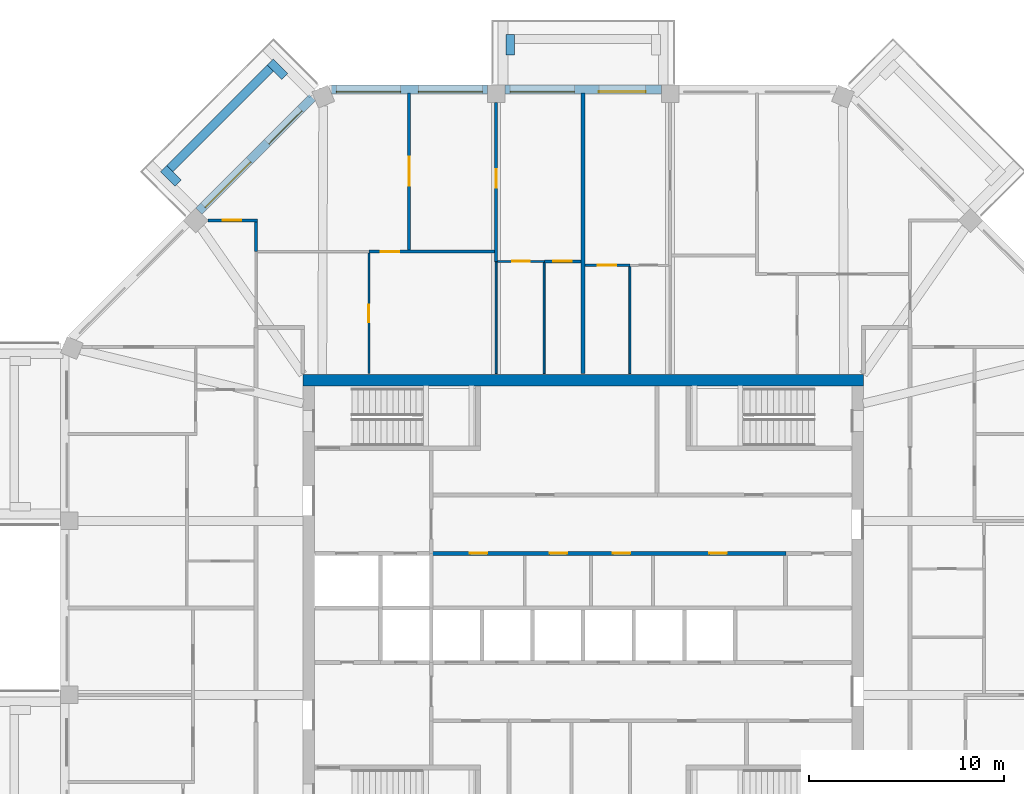
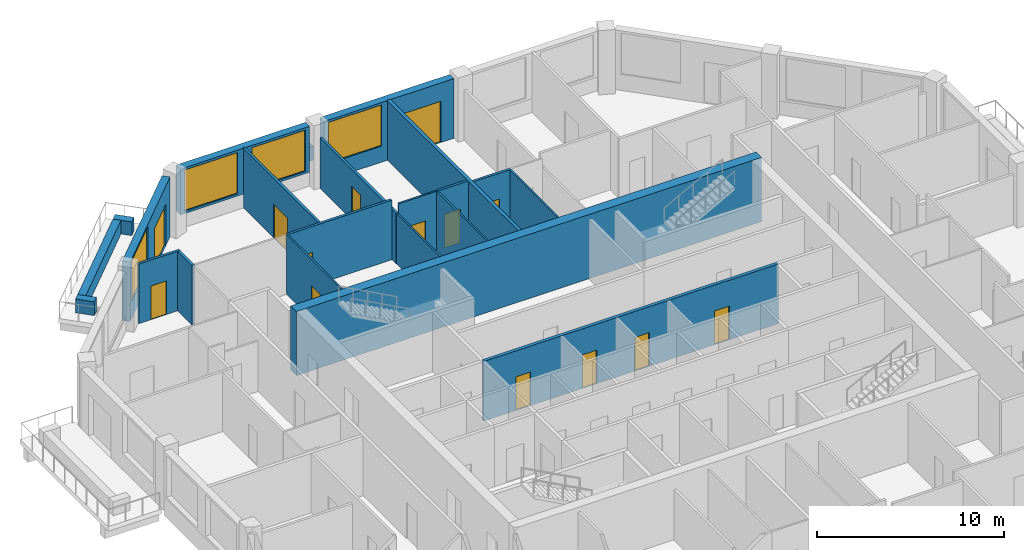
# One storey, part 8 of 12: 22 walls, 14 doors, 4 windows, 18 openings.
"""IFC4 building model written with IfcOpenShell, lengths in metres."""

from ifc_helpers import new_model, si_unit, direction, frame, frame_2d, origin, place, context, subcontext, project, spatial, rectangle, extrude, material, layer, layer_set, type_object, element, fill, save


model = new_model("IFC4")

# Units and contexts
model_context = context("Model", 3, precision=1e-05, world=origin(), true_north=direction((0.0, 1.0)))
body_context = subcontext(model_context, "Body", "Model", "MODEL_VIEW")
ifc_project = project(units=[si_unit("LENGTHUNIT", "METRE"), si_unit("AREAUNIT", "SQUARE_METRE"), si_unit("VOLUMEUNIT", "CUBIC_METRE"), si_unit("PLANEANGLEUNIT", "RADIAN"), si_unit("MASSUNIT", "GRAM", prefix="KILO")], contexts=[model_context])

# Site, building, storey
site_placement = place(None, origin())
site = spatial("IfcSite", under=ifc_project, at=site_placement, CompositionType="ELEMENT")
building_placement = place(site_placement, origin())
building = spatial("IfcBuilding", under=site, at=building_placement, Name="Msitu Wima Residences", CompositionType="ELEMENT")
storey_placement = place(building_placement, frame((0.0, 0.0, 306.300048828125)))
storey = spatial("IfcBuildingStorey", under=building, at=storey_placement, Name="L71", CompositionType="ELEMENT", Elevation=306.300048828125)

# Walls
ifc_material_1 = material(Name="Facing brick")
ifc_layer_1 = layer(ifc_material_1, 0.06494140625, Name="Facing brick")
ifc_material_2 = material(Name="Concrete C40/50", Category="concrete")
ifc_layer_2 = layer(ifc_material_2, 0.156005859375, Name="Concrete C40/50")
ifc_material_3 = material(Name="Waterproofing membrane")
ifc_layer_3 = layer(ifc_material_3, 0.00390625, Name="Waterproofing membrane")
ifc_material_4 = material(Name="Planting soil and planting")
ifc_layer_4 = layer(ifc_material_4, 0.22509765625, Name="Planting soil and planting")
ifc_layer_set_1 = layer_set([ifc_layer_1, ifc_layer_2, ifc_layer_3, ifc_layer_4], Name="Concrete C40/50")
wall_type_1 = type_object("IfcWallType", Name="Balcony planter PLANTER PL450", PredefinedType="USERDEFINED", material=ifc_layer_set_1)
wall_1_placement = place(storey_placement, frame((-3.74365234375, 28.39990234375, 0.0), z_axis=(0.0, 0.0, 1.0), x_axis=(0.0, 1.0, 0.0)))
element("IfcWall", 1, at=wall_1_placement, inside=storey, type_object=wall_type_1, Name="Balcony planter N1 L71", ObjectType="PLANTER", PredefinedType="USERDEFINED", context=body_context, shape_type="SweptSolid", body=[
    extrude(rectangle(XDim=1.050048828125, YDim=0.449951171875, at=frame_2d((0.52490234375, 0.0))), origin(), (0.0, 0.0, 1.0), 0.89990234375),
])
wall_2_placement = place(storey_placement, frame((-16.0751953125, 27.725830078125, 0.0), z_axis=(0.0, 0.0, 1.0), x_axis=(-0.707106781187, -0.707106781187, 0.0)))
element("IfcWall", 2, at=wall_2_placement, inside=storey, type_object=wall_type_1, Name="Balcony planter NW0 L71", ObjectType="PLANTER", PredefinedType="USERDEFINED", context=body_context, shape_type="SweptSolid", body=[
    extrude(rectangle(XDim=7.288330078125, YDim=0.449951171875, at=frame_2d((3.64404296875, 0.0))), origin(), (0.0, 0.0, 1.0), 0.89990234375),
])
for number, where, z_axis, x_axis, name in (
    (3, (-15.332763671875, 27.301513671875, 0.0), (0.0, 0.0, 1.0), (-0.707106781187, 0.707106781187, 0.0), "Balcony planter NW0 L71"),
    (4, (-20.804443359375, 21.829833984375, 0.0), (0.0, 0.0, 1.0), (-0.707106781187, 0.707106781187, 0.0), "Balcony planter NW0 L71"),
):
    element("IfcWall", number, at=place(storey_placement, frame(where, z_axis=z_axis, x_axis=x_axis)), inside=storey, type_object=wall_type_1, Name=name, ObjectType="PLANTER", PredefinedType="USERDEFINED", context=body_context, shape_type="SweptSolid", body=[
        extrude(rectangle(XDim=1.050048828125, YDim=0.449951171875, at=frame_2d((0.52490234375, 0.0))), origin(), (0.0, 0.0, 1.0), 0.89990234375),
    ])

# Wall, openings, door, window
ifc_material_5 = material(Name="Brick (red buff mix)", Category="masonry")
ifc_layer_5 = layer(ifc_material_5, 0.449951171875)
ifc_layer_set_2 = layer_set([ifc_layer_5], Name="Brick (red buff mix)")
wall_type_2 = type_object("IfcWallType", Name="Brick infill wall BW450", PredefinedType="SOLIDWALL", material=ifc_layer_set_2)
wall_3_placement = place(storey_placement, frame((4.0185546875, 26.625, 0.0), z_axis=(0.0, 0.0, 1.0), x_axis=(-1.0, 0.0, 0.0)))
wall_3 = element("IfcWall", 5, at=wall_3_placement, inside=storey, type_object=wall_type_2, Name="Brick infill wall L71 N1", PredefinedType="SOLIDWALL", context=body_context, shape_type="SweptSolid", body=[
    extrude(rectangle(XDim=8.037109375, YDim=0.449951171875, at=frame_2d((4.0185546875, 0.0))), origin(), (0.0, 0.0, 1.0), 3.89990234375),
])
opening_1_placement = place(wall_3_placement, frame((0.809326171875, 0.0, 0.0)))
opening_1 = element("IfcOpeningElement", 6, at=opening_1_placement, cuts=wall_3, Name="Opening D71.003", PredefinedType="OPENING", context=body_context, shape_type="SweptSolid", body=[
    extrude(rectangle(XDim=2.39990234375, YDim=2.699951171875, at=frame_2d((1.199951171875, 1.35009765625))), frame((0.0, 0.23486328125, 0.0), z_axis=(0.0, -1.0, 0.0), x_axis=(1.0, 0.0, 0.0)), (0.0, 0.0, 1.0), 0.469970703125),
])
opening_2_placement = place(wall_3_placement, frame((4.46875, 0.0, 1.050048828125)))
opening_2 = element("IfcOpeningElement", 7, at=opening_2_placement, cuts=wall_3, Name="Opening W71.007", PredefinedType="OPENING", context=body_context, shape_type="SweptSolid", body=[
    extrude(rectangle(XDim=3.300048828125, YDim=2.699951171875, at=frame_2d((1.64990234375, 1.35009765625))), frame((0.0, 0.23486328125, 0.0), z_axis=(0.0, -1.0, 0.0), x_axis=(1.0, 0.0, 0.0)), (0.0, 0.0, 1.0), 0.469970703125),
])
ifc_material_6 = material(Name="Anodised aluminium, bronze finish, clear low-emissivity double glazing", Category="aluminium")
door_type_1 = type_object("IfcDoorType", Name="Balcony door D2400x2700", OperationType="SLIDING_TO_LEFT", PredefinedType="DOOR", material=ifc_material_6)
door_1_placement = place(opening_1_placement, origin())
door_1 = element("IfcDoor", 8, at=door_1_placement, inside=storey, type_object=door_type_1, Name="Balcony door L71 N1", OperationType="SINGLE_SWING_LEFT", OverallHeight=2.699951171875, OverallWidth=2.39990234375, PredefinedType="DOOR", context=body_context, shape_type="SweptSolid", body=[
    extrude(rectangle(XDim=2.39990234375, YDim=2.699951171875, at=frame_2d((1.199951171875, 1.35009765625))), frame((0.0, 0.1298828125, 0.0), z_axis=(0.0, -1.0, 0.0), x_axis=(1.0, 0.0, 0.0)), (0.0, 0.0, 1.0), 0.050048828125),
])
fill(opening_1, door_1)
window_type = type_object("IfcWindowType", Name="Window W3300x2700", PartitioningType="DOUBLE_PANEL_VERTICAL", PredefinedType="WINDOW", material=ifc_material_6)
window_1_placement = place(opening_2_placement, origin())
window_1 = element("IfcWindow", 9, at=window_1_placement, inside=storey, type_object=window_type, Name="Window L71 N1.2", OverallHeight=2.699951171875, OverallWidth=3.300048828125, PartitioningType="SINGLE_PANEL", PredefinedType="WINDOW", context=body_context, shape_type="SweptSolid", body=[
    extrude(rectangle(XDim=3.300048828125, YDim=2.699951171875, at=frame_2d((1.64990234375, 1.35009765625))), frame((0.0, 0.135009765625, 0.0), z_axis=(0.0, -1.0, 0.0), x_axis=(1.0, 0.0, 0.0)), (0.0, 0.0, 1.0), 0.06005859375),
])
fill(opening_2, window_1)

# Wall, openings, windows
wall_4_placement = place(storey_placement, frame((-4.918701171875, 26.625, 0.89990234375), z_axis=(0.0, 0.0, 1.0), x_axis=(-1.0, 0.0, 0.0)))
wall_4 = element("IfcWall", 10, at=wall_4_placement, inside=storey, type_object=wall_type_2, Name="Brick infill wall L71 N2", PredefinedType="SOLIDWALL", context=body_context, shape_type="SweptSolid", body=[
    extrude(rectangle(XDim=8.0, YDim=0.449951171875, at=frame_2d((4.0, 0.0))), origin(), (0.0, 0.0, 1.0), 3.0),
])
opening_3_placement = place(wall_4_placement, frame((0.25, 0.0, 0.14990234375)))
opening_3 = element("IfcOpeningElement", 11, at=opening_3_placement, cuts=wall_4, Name="Opening W71.008", PredefinedType="OPENING", context=body_context, shape_type="SweptSolid", body=[
    extrude(rectangle(XDim=3.300048828125, YDim=2.699951171875, at=frame_2d((1.64990234375, 1.35009765625))), frame((0.0, 0.23486328125, 0.0), z_axis=(0.0, -1.0, 0.0), x_axis=(1.0, 0.0, 0.0)), (0.0, 0.0, 1.0), 0.469970703125),
])
opening_4_placement = place(wall_4_placement, frame((4.4501953125, 0.0, 0.14990234375)))
opening_4 = element("IfcOpeningElement", 12, at=opening_4_placement, cuts=wall_4, Name="Opening W71.009", PredefinedType="OPENING", context=body_context, shape_type="SweptSolid", body=[
    extrude(rectangle(XDim=3.300048828125, YDim=2.699951171875, at=frame_2d((1.64990234375, 1.35009765625))), frame((0.0, 0.23486328125, 0.0), z_axis=(0.0, -1.0, 0.0), x_axis=(1.0, 0.0, 0.0)), (0.0, 0.0, 1.0), 0.469970703125),
])
window_2_placement = place(opening_3_placement, origin())
window_2 = element("IfcWindow", 13, at=window_2_placement, inside=storey, type_object=window_type, Name="Window L71 N2.1", OverallHeight=2.699951171875, OverallWidth=3.300048828125, PartitioningType="SINGLE_PANEL", PredefinedType="WINDOW", context=body_context, shape_type="SweptSolid", body=[
    extrude(rectangle(XDim=3.300048828125, YDim=2.699951171875, at=frame_2d((1.64990234375, 1.35009765625))), frame((0.0, 0.135009765625, 0.0), z_axis=(0.0, -1.0, 0.0), x_axis=(1.0, 0.0, 0.0)), (0.0, 0.0, 1.0), 0.06005859375),
])
fill(opening_3, window_2)
window_3_placement = place(opening_4_placement, origin())
window_3 = element("IfcWindow", 14, at=window_3_placement, inside=storey, type_object=window_type, Name="Window L71 N2.2", OverallHeight=2.699951171875, OverallWidth=3.300048828125, PartitioningType="SINGLE_PANEL", PredefinedType="WINDOW", context=body_context, shape_type="SweptSolid", body=[
    extrude(rectangle(XDim=3.300048828125, YDim=2.699951171875, at=frame_2d((1.64990234375, 1.35009765625))), frame((0.0, 0.135009765625, 0.0), z_axis=(0.0, -1.0, 0.0), x_axis=(1.0, 0.0, 0.0)), (0.0, 0.0, 1.0), 0.06005859375),
])
fill(opening_4, window_3)

# Wall, openings, door, window
wall_5_placement = place(storey_placement, frame((-13.909423828125, 26.214599609375, 0.0), z_axis=(0.0, 0.0, 1.0), x_axis=(-0.707106781187, -0.707106781187, 0.0)))
wall_5 = element("IfcWall", 15, at=wall_5_placement, inside=storey, type_object=wall_type_2, Name="Brick infill wall L71 NW0", PredefinedType="SOLIDWALL", context=body_context, shape_type="SweptSolid", body=[
    extrude(rectangle(XDim=8.251220703125, YDim=0.449951171875, at=frame_2d((4.12548828125, 0.0))), origin(), (0.0, 0.0, 1.0), 3.89990234375),
])
opening_5_placement = place(wall_5_placement, frame((0.86279296875, 0.0, 0.0)))
opening_5 = element("IfcOpeningElement", 16, at=opening_5_placement, cuts=wall_5, Name="Opening D71.005", PredefinedType="OPENING", context=body_context, shape_type="SweptSolid", body=[
    extrude(rectangle(XDim=2.39990234375, YDim=2.699951171875, at=frame_2d((1.199951171875, 1.35009765625))), frame((0.0, 0.23486328125, 0.0), z_axis=(0.0, -1.0, 0.0), x_axis=(1.0, 0.0, 0.0)), (0.0, 0.0, 1.0), 0.469970703125),
])
opening_6_placement = place(wall_5_placement, frame((4.57568359375, 0.0, 1.050048828125)))
opening_6 = element("IfcOpeningElement", 17, at=opening_6_placement, cuts=wall_5, Name="Opening W71.013", PredefinedType="OPENING", context=body_context, shape_type="SweptSolid", body=[
    extrude(rectangle(XDim=3.300048828125, YDim=2.699951171875, at=frame_2d((1.64990234375, 1.35009765625))), frame((0.0, 0.23486328125, 0.0), z_axis=(0.0, -1.0, 0.0), x_axis=(1.0, 0.0, 0.0)), (0.0, 0.0, 1.0), 0.469970703125),
])
door_2_placement = place(opening_5_placement, origin())
door_2 = element("IfcDoor", 18, at=door_2_placement, inside=storey, type_object=door_type_1, Name="Balcony door L71 NW0", OperationType="SINGLE_SWING_LEFT", OverallHeight=2.699951171875, OverallWidth=2.39990234375, PredefinedType="DOOR", context=body_context, shape_type="SweptSolid", body=[
    extrude(rectangle(XDim=2.39990234375, YDim=2.699951171875, at=frame_2d((1.199951171875, 1.35009765625))), frame((0.0, 0.1298828125, 0.0), z_axis=(0.0, -1.0, 0.0), x_axis=(1.0, 0.0, 0.0)), (0.0, 0.0, 1.0), 0.050048828125),
])
fill(opening_5, door_2)
window_4_placement = place(opening_6_placement, origin())
window_4 = element("IfcWindow", 19, at=window_4_placement, inside=storey, type_object=window_type, Name="Window L71 NW0.2", OverallHeight=2.699951171875, OverallWidth=3.300048828125, PartitioningType="SINGLE_PANEL", PredefinedType="WINDOW", context=body_context, shape_type="SweptSolid", body=[
    extrude(rectangle(XDim=3.300048828125, YDim=2.699951171875, at=frame_2d((1.64990234375, 1.35009765625))), frame((0.0, 0.135009765625, 0.0), z_axis=(0.0, -1.0, 0.0), x_axis=(1.0, 0.0, 0.0)), (0.0, 0.0, 1.0), 0.06005859375),
])
fill(opening_6, window_4)

# Wall
ifc_material_7 = material(Name="Concrete C50/60", Category="concrete")
ifc_layer_6 = layer(ifc_material_7, 0.60009765625)
ifc_layer_set_3 = layer_set([ifc_layer_6], Name="Concrete C50/60")
wall_type_3 = type_object("IfcWallType", Name="Core wall CW600 C50/60", PredefinedType="SHEAR", material=ifc_layer_set_3)
wall_6_placement = place(storey_placement, frame((-14.39990234375, 11.699951171875, 0.0), z_axis=(0.0, 0.0, 1.0), x_axis=(1.0, 0.0, 0.0)))
element("IfcWall", 20, at=wall_6_placement, inside=storey, type_object=wall_type_3, Name="Core wall", PredefinedType="SHEAR", context=body_context, shape_type="SweptSolid", body=[
    extrude(rectangle(XDim=28.7998046875, YDim=0.60009765625, at=frame_2d((14.39990234375, 0.0))), origin(), (0.0, 0.0, 1.0), 4.199951171875),
])

# Wall, openings, doors
ifc_material_8 = material(Name="Plaster")
ifc_layer_7 = layer(ifc_material_8, 0.011962890625, Name="Plaster")
ifc_material_9 = material(Name="Concrete blockwork", Category="masonry")
ifc_layer_8 = layer(ifc_material_9, 0.176025390625, Name="Concrete blockwork")
ifc_layer_9 = layer(ifc_material_8, 0.011962890625, Name="Plaster")
ifc_layer_set_4 = layer_set([ifc_layer_7, ifc_layer_8, ifc_layer_9], Name="Concrete blockwork")
wall_type_4 = type_object("IfcWallType", Name="Corridor wall FW200", PredefinedType="PARTITIONING", material=ifc_layer_set_4)
wall_7_placement = place(storey_placement, frame((-7.820068359375, 2.800048828125, 0.0), z_axis=(0.0, 0.0, 1.0), x_axis=(1.0, 0.0, 0.0)))
wall_7 = element("IfcWall", 21, at=wall_7_placement, inside=storey, type_object=wall_type_4, Name="Corridor wall", PredefinedType="PARTITIONING", context=body_context, shape_type="SweptSolid", body=[
    extrude(rectangle(XDim=18.239990234375, YDim=0.199951171875, at=frame_2d((9.1201171875, 0.0))), origin(), (0.0, 0.0, 1.0), 3.89990234375),
])
opening_7_placement = place(wall_7_placement, frame((2.0, 0.0, 0.0)))
opening_7 = element("IfcOpeningElement", 22, at=opening_7_placement, cuts=wall_7, Name="Opening D71.078", PredefinedType="OPENING", context=body_context, shape_type="SweptSolid", body=[
    extrude(rectangle(XDim=0.89990234375, YDim=2.199951171875, at=frame_2d((0.449951171875, 1.10009765625))), frame((0.0, 0.10986328125, 0.0), z_axis=(0.0, -1.0, 0.0), x_axis=(1.0, 0.0, 0.0)), (0.0, 0.0, 1.0), 0.219970703125),
])
opening_8_placement = place(wall_7_placement, frame((6.10009765625, 0.0, 0.0)))
opening_8 = element("IfcOpeningElement", 23, at=opening_8_placement, cuts=wall_7, Name="Opening D71.079", PredefinedType="OPENING", context=body_context, shape_type="SweptSolid", body=[
    extrude(rectangle(XDim=0.89990234375, YDim=2.199951171875, at=frame_2d((0.449951171875, 1.10009765625))), frame((0.0, 0.10986328125, 0.0), z_axis=(0.0, -1.0, 0.0), x_axis=(1.0, 0.0, 0.0)), (0.0, 0.0, 1.0), 0.219970703125),
])
opening_9_placement = place(wall_7_placement, frame((9.35009765625, 0.0, 0.0)))
opening_9 = element("IfcOpeningElement", 24, at=opening_9_placement, cuts=wall_7, Name="Opening D71.080", PredefinedType="OPENING", context=body_context, shape_type="SweptSolid", body=[
    extrude(rectangle(XDim=0.89990234375, YDim=2.199951171875, at=frame_2d((0.449951171875, 1.10009765625))), frame((0.0, 0.10986328125, 0.0), z_axis=(0.0, -1.0, 0.0), x_axis=(1.0, 0.0, 0.0)), (0.0, 0.0, 1.0), 0.219970703125),
])
opening_10_placement = place(wall_7_placement, frame((14.300048828125, 0.0, 0.0)))
opening_10 = element("IfcOpeningElement", 25, at=opening_10_placement, cuts=wall_7, Name="Opening D71.081", PredefinedType="OPENING", context=body_context, shape_type="SweptSolid", body=[
    extrude(rectangle(XDim=0.89990234375, YDim=2.199951171875, at=frame_2d((0.449951171875, 1.10009765625))), frame((0.0, 0.10986328125, 0.0), z_axis=(0.0, -1.0, 0.0), x_axis=(1.0, 0.0, 0.0)), (0.0, 0.0, 1.0), 0.219970703125),
])
ifc_material_10 = material(Name="Timber flush door", Category="wood")
door_type_2 = type_object("IfcDoorType", Name="Service door D05 900x2200", OperationType="SINGLE_SWING_LEFT", PredefinedType="DOOR", material=ifc_material_10)
door_3_placement = place(opening_7_placement, origin())
door_3 = element("IfcDoor", 26, at=door_3_placement, inside=storey, type_object=door_type_2, Name="Service door", OperationType="SINGLE_SWING_LEFT", OverallHeight=2.199951171875, OverallWidth=0.89990234375, PredefinedType="DOOR", context=body_context, shape_type="SweptSolid", body=[
    extrude(rectangle(XDim=0.89990234375, YDim=2.199951171875, at=frame_2d((0.449951171875, 1.10009765625))), frame((0.0, 0.02490234375, 0.0), z_axis=(0.0, -1.0, 0.0), x_axis=(1.0, 0.0, 0.0)), (0.0, 0.0, 1.0), 0.050048828125),
])
fill(opening_7, door_3)
door_4_placement = place(opening_8_placement, origin())
door_4 = element("IfcDoor", 27, at=door_4_placement, inside=storey, type_object=door_type_2, Name="Service door", OperationType="SINGLE_SWING_LEFT", OverallHeight=2.199951171875, OverallWidth=0.89990234375, PredefinedType="DOOR", context=body_context, shape_type="SweptSolid", body=[
    extrude(rectangle(XDim=0.89990234375, YDim=2.199951171875, at=frame_2d((0.449951171875, 1.10009765625))), frame((0.0, 0.02490234375, 0.0), z_axis=(0.0, -1.0, 0.0), x_axis=(1.0, 0.0, 0.0)), (0.0, 0.0, 1.0), 0.050048828125),
])
fill(opening_8, door_4)
door_5_placement = place(opening_9_placement, origin())
door_5 = element("IfcDoor", 28, at=door_5_placement, inside=storey, type_object=door_type_2, Name="Service door", OperationType="SINGLE_SWING_RIGHT", OverallHeight=2.199951171875, OverallWidth=0.89990234375, PredefinedType="DOOR", context=body_context, shape_type="SweptSolid", body=[
    extrude(rectangle(XDim=0.89990234375, YDim=2.199951171875, at=frame_2d((0.449951171875, 1.10009765625))), frame((0.0, 0.02490234375, 0.0), z_axis=(0.0, -1.0, 0.0), x_axis=(1.0, 0.0, 0.0)), (0.0, 0.0, 1.0), 0.050048828125),
])
fill(opening_9, door_5)
door_6_placement = place(opening_10_placement, origin())
door_6 = element("IfcDoor", 29, at=door_6_placement, inside=storey, type_object=door_type_2, Name="Service door", OperationType="SINGLE_SWING_RIGHT", OverallHeight=2.199951171875, OverallWidth=0.89990234375, PredefinedType="DOOR", context=body_context, shape_type="SweptSolid", body=[
    extrude(rectangle(XDim=0.89990234375, YDim=2.199951171875, at=frame_2d((0.449951171875, 1.10009765625))), frame((0.0, 0.02490234375, 0.0), z_axis=(0.0, -1.0, 0.0), x_axis=(1.0, 0.0, 0.0)), (0.0, 0.0, 1.0), 0.050048828125),
])
fill(opening_10, door_6)

# Wall, opening, door
ifc_layer_10 = layer(ifc_material_8, 0.011962890625, Name="Plaster")
ifc_layer_11 = layer(ifc_material_9, 0.1259765625, Name="Concrete blockwork")
ifc_layer_12 = layer(ifc_material_8, 0.011962890625, Name="Plaster")
ifc_layer_set_5 = layer_set([ifc_layer_10, ifc_layer_11, ifc_layer_12], Name="Concrete blockwork")
wall_type_5 = type_object("IfcWallType", Name="Partition PW150", PredefinedType="PARTITIONING", material=ifc_layer_set_5)
wall_8_placement = place(storey_placement, frame((-19.2666015625, 19.90283203125, 0.0), z_axis=(0.0, 0.0, 1.0), x_axis=(1.0, 0.0, 0.0)))
wall_8 = element("IfcWall", 30, at=wall_8_placement, inside=storey, type_object=wall_type_5, Name="Partition", PredefinedType="PARTITIONING", context=body_context, shape_type="SweptSolid", body=[
    extrude(rectangle(XDim=2.54150390625, YDim=0.14990234375, at=frame_2d((1.270751953125, 0.0))), origin(), (0.0, 0.0, 1.0), 3.89990234375),
])
opening_11_placement = place(wall_8_placement, frame((0.75, 0.0, 0.0)))
opening_11 = element("IfcOpeningElement", 31, at=opening_11_placement, cuts=wall_8, Name="Opening D71.046", PredefinedType="OPENING", context=body_context, shape_type="SweptSolid", body=[
    extrude(rectangle(XDim=0.949951171875, YDim=2.199951171875, at=frame_2d((0.47509765625, 1.10009765625))), frame((0.0, 0.0849609375, 0.0), z_axis=(0.0, -1.0, 0.0), x_axis=(1.0, 0.0, 0.0)), (0.0, 0.0, 1.0), 0.169921875),
])
door_type_3 = type_object("IfcDoorType", Name="Room door D12 950x2200", OperationType="SINGLE_SWING_LEFT", PredefinedType="DOOR", material=ifc_material_10)
door_7_placement = place(opening_11_placement, origin())
door_7 = element("IfcDoor", 32, at=door_7_placement, inside=storey, type_object=door_type_3, Name="Room door", OperationType="SINGLE_SWING_LEFT", OverallHeight=2.199951171875, OverallWidth=0.949951171875, PredefinedType="DOOR", context=body_context, shape_type="SweptSolid", body=[
    extrude(rectangle(XDim=0.949951171875, YDim=2.199951171875, at=frame_2d((0.47509765625, 1.10009765625))), frame((0.0, 0.02490234375, 0.0), z_axis=(0.0, -1.0, 0.0), x_axis=(1.0, 0.0, 0.0)), (0.0, 0.0, 1.0), 0.050048828125),
])
fill(opening_11, door_7)

# Wall
wall_9_placement = place(storey_placement, frame((-16.800048828125, 18.300048828125, 0.0), z_axis=(0.0, 0.0, 1.0), x_axis=(0.0, 1.0, 0.0)))
element("IfcWall", 33, at=wall_9_placement, inside=storey, type_object=wall_type_5, Name="Partition", PredefinedType="PARTITIONING", context=body_context, shape_type="SweptSolid", body=[
    extrude(rectangle(XDim=1.52783203125, YDim=0.14990234375, at=frame_2d((0.763916015625, 0.0))), origin(), (0.0, 0.0, 1.0), 3.89990234375),
])

# Wall, opening, door
wall_10_placement = place(storey_placement, frame((-11.0, 18.300048828125, 0.0), z_axis=(0.0, 0.0, 1.0), x_axis=(1.0, 0.0, 0.0)))
wall_10 = element("IfcWall", 34, at=wall_10_placement, inside=storey, type_object=wall_type_5, Name="Partition", PredefinedType="PARTITIONING", context=body_context, shape_type="SweptSolid", body=[
    extrude(rectangle(XDim=6.456298828125, YDim=0.14990234375, at=frame_2d((3.22802734375, 0.0))), origin(), (0.0, 0.0, 1.0), 3.89990234375),
])
opening_12_placement = place(wall_10_placement, frame((0.60009765625, 0.0, 0.0)))
opening_12 = element("IfcOpeningElement", 35, at=opening_12_placement, cuts=wall_10, Name="Opening D71.047", PredefinedType="OPENING", context=body_context, shape_type="SweptSolid", body=[
    extrude(rectangle(XDim=0.949951171875, YDim=2.199951171875, at=frame_2d((0.47509765625, 1.10009765625))), frame((0.0, 0.0849609375, 0.0), z_axis=(0.0, -1.0, 0.0), x_axis=(1.0, 0.0, 0.0)), (0.0, 0.0, 1.0), 0.169921875),
])
door_8_placement = place(opening_12_placement, origin())
door_8 = element("IfcDoor", 36, at=door_8_placement, inside=storey, type_object=door_type_3, Name="Room door", OperationType="SINGLE_SWING_RIGHT", OverallHeight=2.199951171875, OverallWidth=0.949951171875, PredefinedType="DOOR", context=body_context, shape_type="SweptSolid", body=[
    extrude(rectangle(XDim=0.949951171875, YDim=2.199951171875, at=frame_2d((0.47509765625, 1.10009765625))), frame((0.0, 0.02490234375, 0.0), z_axis=(0.0, -1.0, 0.0), x_axis=(1.0, 0.0, 0.0)), (0.0, 0.0, 1.0), 0.050048828125),
])
fill(opening_12, door_8)

wall_11_placement = place(storey_placement, frame((-8.937255859375, 18.375, 0.0), z_axis=(0.0, 0.0, 1.0), x_axis=(0.0, 1.0, 0.0)))
wall_11 = element("IfcWall", 37, at=wall_11_placement, inside=storey, type_object=wall_type_5, Name="Partition", PredefinedType="PARTITIONING", context=body_context, shape_type="SweptSolid", body=[
    extrude(rectangle(XDim=8.080078125, YDim=0.14990234375, at=frame_2d((4.0400390625, 0.0))), origin(), (0.0, 0.0, 1.0), 3.89990234375),
])
opening_13_placement = place(wall_11_placement, frame((3.300048828125, 0.0, 0.0)))
opening_13 = element("IfcOpeningElement", 38, at=opening_13_placement, cuts=wall_11, Name="Opening D71.049", PredefinedType="OPENING", context=body_context, shape_type="SweptSolid", body=[
    extrude(rectangle(XDim=1.5, YDim=2.199951171875, at=frame_2d((0.75, 1.10009765625))), frame((0.0, 0.0849609375, 0.0), z_axis=(0.0, -1.0, 0.0), x_axis=(1.0, 0.0, 0.0)), (0.0, 0.0, 1.0), 0.169921875),
])
ifc_material_11 = material(Name="Timber double door", Category="wood")
door_type_4 = type_object("IfcDoorType", Name="Double door D04 1500x2200", OperationType="DOUBLE_DOOR_SINGLE_SWING", PredefinedType="DOOR", material=ifc_material_11)
door_9_placement = place(opening_13_placement, origin())
door_9 = element("IfcDoor", 39, at=door_9_placement, inside=storey, type_object=door_type_4, Name="Double door", OperationType="DOUBLE_DOOR_SINGLE_SWING", OverallHeight=2.199951171875, OverallWidth=1.5, PredefinedType="DOOR", context=body_context, shape_type="SweptSolid", body=[
    extrude(rectangle(XDim=1.5, YDim=2.199951171875, at=frame_2d((0.75, 1.10009765625))), frame((0.0, 0.02490234375, 0.0), z_axis=(0.0, -1.0, 0.0), x_axis=(1.0, 0.0, 0.0)), (0.0, 0.0, 1.0), 0.050048828125),
])
fill(opening_13, door_9)

wall_12_placement = place(storey_placement, frame((-4.46875, 17.780029296875, 0.0), z_axis=(0.0, 0.0, 1.0), x_axis=(0.0, 1.0, 0.0)))
wall_12 = element("IfcWall", 40, at=wall_12_placement, inside=storey, type_object=wall_type_5, Name="Partition", PredefinedType="PARTITIONING", context=body_context, shape_type="SweptSolid", body=[
    extrude(rectangle(XDim=8.169921875, YDim=0.14990234375, at=frame_2d((4.0849609375, 0.0))), origin(), (0.0, 0.0, 1.0), 3.300048828125),
])
opening_14_placement = place(wall_12_placement, frame((3.800048828125, 0.0, 0.0)))
opening_14 = element("IfcOpeningElement", 41, at=opening_14_placement, cuts=wall_12, Name="Opening D71.039", PredefinedType="OPENING", context=body_context, shape_type="SweptSolid", body=[
    extrude(rectangle(XDim=0.949951171875, YDim=2.199951171875, at=frame_2d((0.47509765625, 1.10009765625))), frame((0.0, 0.0849609375, 0.0), z_axis=(0.0, -1.0, 0.0), x_axis=(1.0, 0.0, 0.0)), (0.0, 0.0, 1.0), 0.169921875),
])
door_10_placement = place(opening_14_placement, origin())
door_10 = element("IfcDoor", 42, at=door_10_placement, inside=storey, type_object=door_type_3, Name="Room door", OperationType="SINGLE_SWING_LEFT", OverallHeight=2.199951171875, OverallWidth=0.949951171875, PredefinedType="DOOR", context=body_context, shape_type="SweptSolid", body=[
    extrude(rectangle(XDim=0.949951171875, YDim=2.199951171875, at=frame_2d((0.47509765625, 1.10009765625))), frame((0.0, 0.02490234375, 0.0), z_axis=(0.0, -1.0, 0.0), x_axis=(1.0, 0.0, 0.0)), (0.0, 0.0, 1.0), 0.050048828125),
])
fill(opening_14, door_10)

wall_13_placement = place(storey_placement, frame((-1.97998046875, 17.800048828125, 0.0), z_axis=(0.0, 0.0, 1.0), x_axis=(1.0, 0.0, 0.0)))
wall_13 = element("IfcWall", 43, at=wall_13_placement, inside=storey, type_object=wall_type_5, Name="Partition", PredefinedType="PARTITIONING", context=body_context, shape_type="SweptSolid", body=[
    extrude(rectangle(XDim=1.8798828125, YDim=0.14990234375, at=frame_2d((0.93994140625, 0.0))), origin(), (0.0, 0.0, 1.0), 3.89990234375),
])
opening_15_placement = place(wall_13_placement, frame((0.449951171875, 0.0, 0.0)))
opening_15 = element("IfcOpeningElement", 44, at=opening_15_placement, cuts=wall_13, Name="Opening D71.040", PredefinedType="OPENING", context=body_context, shape_type="SweptSolid", body=[
    extrude(rectangle(XDim=0.949951171875, YDim=2.199951171875, at=frame_2d((0.47509765625, 1.10009765625))), frame((0.0, 0.0849609375, 0.0), z_axis=(0.0, -1.0, 0.0), x_axis=(1.0, 0.0, 0.0)), (0.0, 0.0, 1.0), 0.169921875),
])
door_11_placement = place(opening_15_placement, origin())
door_11 = element("IfcDoor", 45, at=door_11_placement, inside=storey, type_object=door_type_3, Name="Room door", OperationType="SINGLE_SWING_RIGHT", OverallHeight=2.199951171875, OverallWidth=0.949951171875, PredefinedType="DOOR", context=body_context, shape_type="SweptSolid", body=[
    extrude(rectangle(XDim=0.949951171875, YDim=2.199951171875, at=frame_2d((0.47509765625, 1.10009765625))), frame((0.0, 0.02490234375, 0.0), z_axis=(0.0, -1.0, 0.0), x_axis=(1.0, 0.0, 0.0)), (0.0, 0.0, 1.0), 0.050048828125),
])
fill(opening_15, door_11)

wall_14_placement = place(storey_placement, frame((0.10009765625, 17.60009765625, 0.0), z_axis=(0.0, 0.0, 1.0), x_axis=(1.0, 0.0, 0.0)))
wall_14 = element("IfcWall", 46, at=wall_14_placement, inside=storey, type_object=wall_type_5, Name="Partition", PredefinedType="PARTITIONING", context=body_context, shape_type="SweptSolid", body=[
    extrude(rectangle(XDim=2.2998046875, YDim=0.14990234375, at=frame_2d((1.14990234375, 0.0))), origin(), (0.0, 0.0, 1.0), 3.89990234375),
])
opening_16_placement = place(wall_14_placement, frame((0.64990234375, 0.0, 0.0)))
opening_16 = element("IfcOpeningElement", 47, at=opening_16_placement, cuts=wall_14, Name="Opening D71.027", PredefinedType="OPENING", context=body_context, shape_type="SweptSolid", body=[
    extrude(rectangle(XDim=0.949951171875, YDim=2.199951171875, at=frame_2d((0.47509765625, 1.10009765625))), frame((0.0, 0.0849609375, 0.0), z_axis=(0.0, -1.0, 0.0), x_axis=(1.0, 0.0, 0.0)), (0.0, 0.0, 1.0), 0.169921875),
])
door_12_placement = place(opening_16_placement, origin())
door_12 = element("IfcDoor", 48, at=door_12_placement, inside=storey, type_object=door_type_3, Name="Room door", OperationType="SINGLE_SWING_LEFT", OverallHeight=2.199951171875, OverallWidth=0.949951171875, PredefinedType="DOOR", context=body_context, shape_type="SweptSolid", body=[
    extrude(rectangle(XDim=0.949951171875, YDim=2.199951171875, at=frame_2d((0.47509765625, 1.10009765625))), frame((0.0, 0.02490234375, 0.0), z_axis=(0.0, -1.0, 0.0), x_axis=(1.0, 0.0, 0.0)), (0.0, 0.0, 1.0), 0.050048828125),
])
fill(opening_16, door_12)

# Wall
ifc_layer_13 = layer(ifc_material_8, 0.011962890625, Name="Plaster")
ifc_material_12 = material(Name="Dense concrete blockwork", Category="masonry")
ifc_layer_14 = layer(ifc_material_12, 0.176025390625, Name="Dense concrete blockwork")
ifc_layer_15 = layer(ifc_material_8, 0.011962890625, Name="Plaster")
ifc_layer_set_6 = layer_set([ifc_layer_13, ifc_layer_14, ifc_layer_15], Name="Dense concrete blockwork")
wall_type_6 = type_object("IfcWallType", Name="Party wall PW200", PredefinedType="PARTITIONING", material=ifc_layer_set_6)
wall_15_placement = place(storey_placement, frame((0.0, 12.030029296875, 0.0), z_axis=(0.0, 0.0, 1.0), x_axis=(0.0, 1.0, 0.0)))
element("IfcWall", 49, at=wall_15_placement, inside=storey, type_object=wall_type_6, Name="Party wall", PredefinedType="PARTITIONING", context=body_context, shape_type="SweptSolid", body=[
    extrude(rectangle(XDim=14.425048828125, YDim=0.199951171875, at=frame_2d((7.21240234375, 0.0))), origin(), (0.0, 0.0, 1.0), 3.89990234375),
])

# Wall, opening, door
ifc_material_13 = material(Name="Ceramic tiles")
ifc_layer_16 = layer(ifc_material_13, 0.008056640625, Name="Ceramic tiles")
ifc_material_14 = material(Name="Moisture-resistant board")
ifc_layer_17 = layer(ifc_material_14, 0.012451171875, Name="Moisture-resistant board")
ifc_material_15 = material(Name="Light-gauge stud framing with mineral wool")
ifc_layer_18 = layer(ifc_material_15, 0.06689453125, Name="Light-gauge stud framing with mineral wool")
ifc_layer_19 = layer(ifc_material_14, 0.012451171875, Name="Moisture-resistant board")
ifc_layer_set_7 = layer_set([ifc_layer_16, ifc_layer_17, ifc_layer_18, ifc_layer_19], Name="Light-gauge stud framing with mineral wool")
wall_type_7 = type_object("IfcWallType", Name="Wet wall PW100", PredefinedType="PARTITIONING", material=ifc_layer_set_7)
wall_16_placement = place(storey_placement, frame((-11.0, 12.030029296875, 0.0), z_axis=(0.0, 0.0, 1.0), x_axis=(0.0, 1.0, 0.0)))
wall_16 = element("IfcWall", 50, at=wall_16_placement, inside=storey, type_object=wall_type_7, Name="Wet wall", PredefinedType="PARTITIONING", context=body_context, shape_type="SweptSolid", body=[
    extrude(rectangle(XDim=6.195068359375, YDim=0.10009765625, at=frame_2d((3.09765625, 0.0))), origin(), (0.0, 0.0, 1.0), 3.89990234375),
])
opening_17_placement = place(wall_16_placement, frame((2.64990234375, 0.0, 0.0)))
opening_17 = element("IfcOpeningElement", 51, at=opening_17_placement, cuts=wall_16, Name="Opening D71.048", PredefinedType="OPENING", context=body_context, shape_type="SweptSolid", body=[
    extrude(rectangle(XDim=0.89990234375, YDim=2.199951171875, at=frame_2d((0.449951171875, 1.10009765625))), frame((0.0, 0.06005859375, 0.0), z_axis=(0.0, -1.0, 0.0), x_axis=(1.0, 0.0, 0.0)), (0.0, 0.0, 1.0), 0.1201171875),
])
door_13_placement = place(opening_17_placement, origin())
door_13 = element("IfcDoor", 52, at=door_13_placement, inside=storey, type_object=door_type_2, Name="Service door", OperationType="SINGLE_SWING_LEFT", OverallHeight=2.199951171875, OverallWidth=0.89990234375, PredefinedType="DOOR", context=body_context, shape_type="SweptSolid", body=[
    extrude(rectangle(XDim=0.89990234375, YDim=2.199951171875, at=frame_2d((0.449951171875, 1.10009765625))), frame((0.0, 0.02490234375, 0.0), z_axis=(0.0, -1.0, 0.0), x_axis=(1.0, 0.0, 0.0)), (0.0, 0.0, 1.0), 0.050048828125),
])
fill(opening_17, door_13)

# Wall
wall_17_placement = place(storey_placement, frame((-4.46875, 12.030029296875, 0.0), z_axis=(0.0, 0.0, 1.0), x_axis=(0.0, 1.0, 0.0)))
element("IfcWall", 53, at=wall_17_placement, inside=storey, type_object=wall_type_7, Name="Wet wall", PredefinedType="PARTITIONING", context=body_context, shape_type="SweptSolid", body=[
    extrude(rectangle(XDim=5.75, YDim=0.10009765625, at=frame_2d((2.875, 0.0))), origin(), (0.0, 0.0, 1.0), 3.300048828125),
])

# Wall, opening, door
wall_18_placement = place(storey_placement, frame((-4.3935546875, 17.800048828125, 0.0), z_axis=(0.0, 0.0, 1.0), x_axis=(1.0, 0.0, 0.0)))
wall_18 = element("IfcWall", 54, at=wall_18_placement, inside=storey, type_object=wall_type_7, Name="Wet wall", PredefinedType="PARTITIONING", context=body_context, shape_type="SweptSolid", body=[
    extrude(rectangle(XDim=2.41357421875, YDim=0.10009765625, at=frame_2d((1.206787109375, 0.0))), origin(), (0.0, 0.0, 1.0), 3.89990234375),
])
opening_18_placement = place(wall_18_placement, frame((0.75, 0.0, 0.0)))
opening_18 = element("IfcOpeningElement", 55, at=opening_18_placement, cuts=wall_18, Name="Opening D71.041", PredefinedType="OPENING", context=body_context, shape_type="SweptSolid", body=[
    extrude(rectangle(XDim=0.89990234375, YDim=2.199951171875, at=frame_2d((0.449951171875, 1.10009765625))), frame((0.0, 0.06005859375, 0.0), z_axis=(0.0, -1.0, 0.0), x_axis=(1.0, 0.0, 0.0)), (0.0, 0.0, 1.0), 0.1201171875),
])
ifc_material_16 = material(Name="Timber flush door, moisture resistant", Category="wood")
door_type_5 = type_object("IfcDoorType", Name="Bathroom door D03 900x2200", OperationType="SINGLE_SWING_LEFT", PredefinedType="DOOR", material=ifc_material_16)
door_14_placement = place(opening_18_placement, origin())
door_14 = element("IfcDoor", 56, at=door_14_placement, inside=storey, type_object=door_type_5, Name="Bathroom door", OperationType="SINGLE_SWING_LEFT", OverallHeight=2.199951171875, OverallWidth=0.89990234375, PredefinedType="DOOR", context=body_context, shape_type="SweptSolid", body=[
    extrude(rectangle(XDim=0.89990234375, YDim=2.199951171875, at=frame_2d((0.449951171875, 1.10009765625))), frame((0.0, 0.02490234375, 0.0), z_axis=(0.0, -1.0, 0.0), x_axis=(1.0, 0.0, 0.0)), (0.0, 0.0, 1.0), 0.050048828125),
])
fill(opening_18, door_14)

# Walls
wall_19_placement = place(storey_placement, frame((-2.0, 12.030029296875, 0.0), z_axis=(0.0, 0.0, 1.0), x_axis=(0.0, 1.0, 0.0)))
element("IfcWall", 57, at=wall_19_placement, inside=storey, type_object=wall_type_7, Name="Wet wall", PredefinedType="PARTITIONING", context=body_context, shape_type="SweptSolid", body=[
    extrude(rectangle(XDim=5.719970703125, YDim=0.10009765625, at=frame_2d((2.85986328125, 0.0))), origin(), (0.0, 0.0, 1.0), 3.89990234375),
])
wall_20_placement = place(storey_placement, frame((2.39990234375, 12.030029296875, 0.0), z_axis=(0.0, 0.0, 1.0), x_axis=(0.0, 1.0, 0.0)))
element("IfcWall", 58, at=wall_20_placement, inside=storey, type_object=wall_type_7, Name="Wet wall", PredefinedType="PARTITIONING", context=body_context, shape_type="SweptSolid", body=[
    extrude(rectangle(XDim=5.52001953125, YDim=0.10009765625, at=frame_2d((2.760009765625, 0.0))), origin(), (0.0, 0.0, 1.0), 3.89990234375),
])

save(model, "model.ifc")
